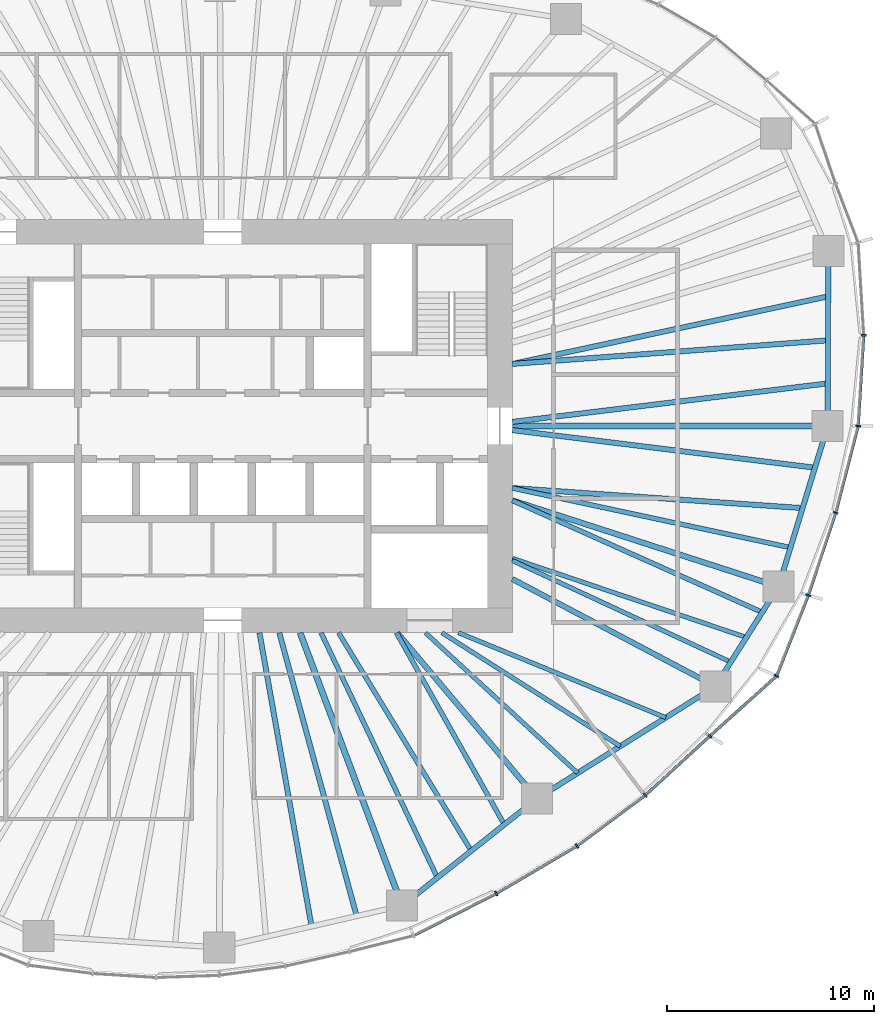
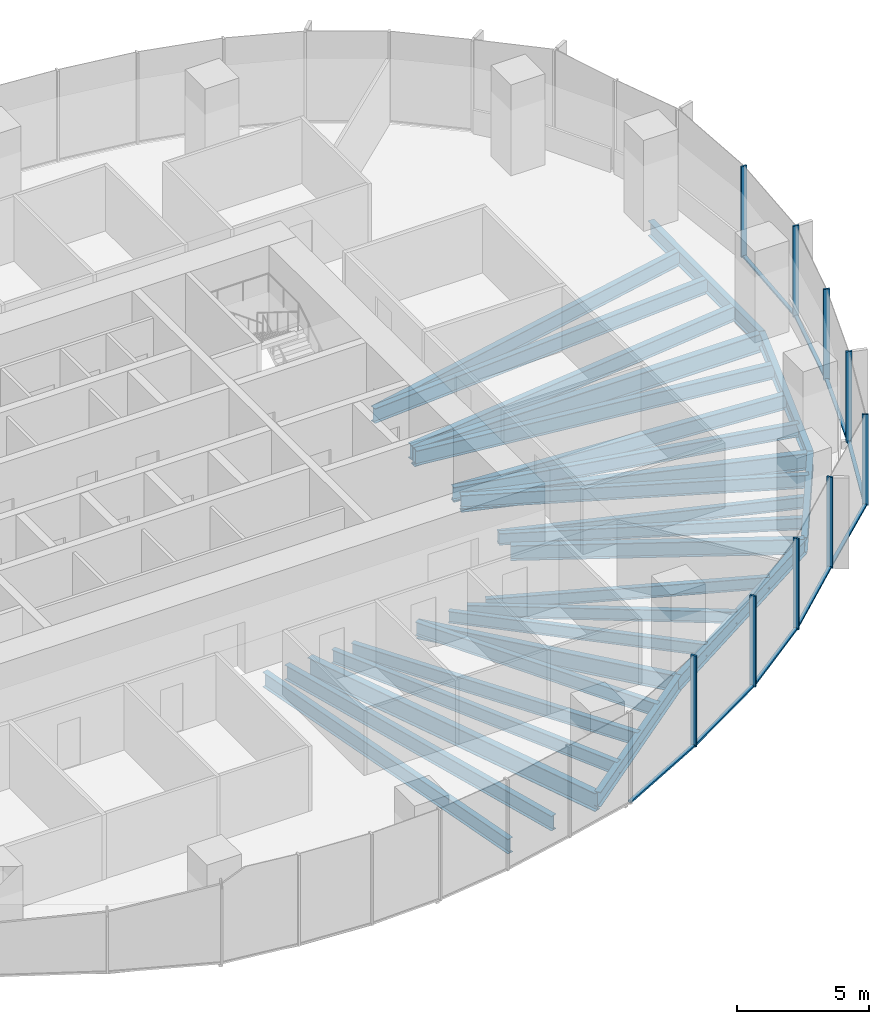
# One storey, part 4 of 18: 27 beams, 18 members, 5 elements without a shape of their own.
"""IFC4 building model written with IfcOpenShell, lengths in metres."""

import ifcopenshell
import ifcopenshell.guid

model = None  # the IFC model being written
_history = None  # IfcOwnerHistory: only IFC2X3 demands one
_inside = {}  # id of a spatial element -> (the spatial element, [elements in it])
_under = {}  # id of a project, library or spatial element -> (it, [spatial elements below it])
_declared = {}  # id of a project -> (the project, [libraries it declares])
_typed = {}  # id of a type object -> (the type object, [elements of that type])
_made_of = {}  # id of a material, layer set ... -> (it, [elements and type objects made of it])


def new_model(schema):
    """Start an empty IFC model of exactly this schema.

    Asked for "IFC4X3", IfcOpenShell would pick the latest addendum, in which some entities
    have other attributes; the version numbers below select the first issue.
    IFC2X3 requires an IfcOwnerHistory on every rooted entity: one is made here for all.
    """
    global model, _history
    if schema == "IFC4X3":
        model = ifcopenshell.file(schema_version=(4, 3, 0, 0))
    else:
        model = ifcopenshell.file(schema=schema)
    _inside.clear()
    _under.clear()
    _declared.clear()
    _typed.clear()
    _made_of.clear()
    _history = None
    if model.schema == "IFC2X3":
        org = make("IfcOrganization", Name="unknown")
        user = make(
            "IfcPersonAndOrganization",
            ThePerson=make("IfcPerson", FamilyName="unknown"),
            TheOrganization=org,
        )
        app = make(
            "IfcApplication",
            ApplicationDeveloper=org,
            Version="unknown",
            ApplicationFullName="unknown",
            ApplicationIdentifier="unknown",
        )
        _history = make(
            "IfcOwnerHistory",
            OwningUser=user,
            OwningApplication=app,
            ChangeAction="ADDED",
            CreationDate=0,
        )
    return model


def make(cls, **values):
    """One entity of the class cls with the attributes given. An attribute that is None is left unset."""
    return model.create_entity(
        cls, **{name: value for name, value in values.items() if value is not None}
    )


def rooted(cls, **values):
    """An entity with a GlobalId (a new one), such as an element, a storey or a relation."""
    return make(cls, GlobalId=ifcopenshell.guid.new(), OwnerHistory=_history, **values)


def si_unit(unit_type, name, prefix=None):
    """IfcSIUnit, for example si_unit("LENGTHUNIT", "METRE", prefix="MILLI")."""
    return make("IfcSIUnit", UnitType=unit_type, Prefix=prefix, Name=name)


def assignment(units):
    """IfcUnitAssignment: the units of a project."""
    return None if units is None else make("IfcUnitAssignment", Units=units)


def point(xyz):
    """IfcCartesianPoint."""
    return None if xyz is None else make("IfcCartesianPoint", Coordinates=xyz)


def direction(xyz):
    """IfcDirection."""
    return None if xyz is None else make("IfcDirection", DirectionRatios=xyz)


def frame(location, z_axis=None, x_axis=None):
    """IfcAxis2Placement3D, a coordinate frame: its origin and axes. An axis left out is left unset."""
    return make(
        "IfcAxis2Placement3D",
        Location=point(location),
        Axis=direction(z_axis),
        RefDirection=direction(x_axis),
    )


def frame_2d(location, x_axis=None):
    """IfcAxis2Placement2D, a coordinate frame in the plane: its origin and x axis."""
    return make(
        "IfcAxis2Placement2D", Location=point(location), RefDirection=direction(x_axis)
    )


def origin():
    """The frame at (0, 0, 0) with its axes left unset."""
    return frame((0.0, 0.0, 0.0))


def origin_2d():
    """The frame at (0, 0) in the plane with its x axis left unset."""
    return frame_2d((0.0, 0.0))


def place(relative_to, where):
    """IfcLocalPlacement: puts the frame where relative to a parent placement (None: the world)."""
    return make(
        "IfcLocalPlacement", PlacementRelTo=relative_to, RelativePlacement=where
    )


def context(
    kind, dimensions, precision=None, world=None, true_north=None, identifier=None
):
    """IfcGeometricRepresentationContext, for example the 3D "Model" context."""
    return make(
        "IfcGeometricRepresentationContext",
        ContextIdentifier=identifier,
        ContextType=kind,
        CoordinateSpaceDimension=dimensions,
        Precision=precision,
        WorldCoordinateSystem=world,
        TrueNorth=true_north,
    )


def subcontext(parent, identifier, kind, view, scale=None):
    """IfcGeometricRepresentationSubContext, for example "Body" below "Model"."""
    return make(
        "IfcGeometricRepresentationSubContext",
        ContextIdentifier=identifier,
        ContextType=kind,
        ParentContext=parent,
        TargetScale=scale,
        TargetView=view,
    )


def project(units=None, contexts=None):
    """IfcProject with its units and contexts."""
    return rooted(
        "IfcProject",
        Name="project",
        RepresentationContexts=contexts,
        UnitsInContext=assignment(units),
    )


def spatial(cls, under=None, at=None, **own):
    """A site, building, storey or space (cls), placed at a placement, below another one or the project."""
    s = rooted(cls, ObjectPlacement=at, **own)
    if under is not None:
        _under.setdefault(under.id(), (under, []))[1].append(s)
    return s


def profile(cls, at=None, kind="AREA", **sizes):
    """A parametric profile (cls). Its sizes go by their IFC names, for example OverallWidth=200.0."""
    return make(cls, ProfileType=kind, Position=at, **sizes)


def rectangle(**sizes):
    """IfcRectangleProfileDef."""
    return profile("IfcRectangleProfileDef", **sizes)


def i_section(**sizes):
    """IfcIShapeProfileDef."""
    return profile("IfcIShapeProfileDef", **sizes)


def extrude(swept, where, along, depth):
    """IfcExtrudedAreaSolid: the profile swept, set in the frame where, extruded along a direction by depth."""
    return make(
        "IfcExtrudedAreaSolid",
        SweptArea=swept,
        Position=where,
        ExtrudedDirection=direction(along),
        Depth=depth,
    )


def shape(context_of_items, identifier, shape_type, items):
    """IfcShapeRepresentation: the items that make up one representation, for example the "Body"."""
    return make(
        "IfcShapeRepresentation",
        ContextOfItems=context_of_items,
        RepresentationIdentifier=identifier,
        RepresentationType=shape_type,
        Items=items,
    )


def material(Name=None, Category=None):
    """IfcMaterial."""
    return make("IfcMaterial", Name=Name, Category=Category)


def material_profile(
    of_material, cross_section, Name=None, Category=None, Priority=None
):
    """IfcMaterialProfile: a cross section and its material."""
    return make(
        "IfcMaterialProfile",
        Name=Name,
        Material=of_material,
        Profile=cross_section,
        Priority=Priority,
        Category=Category,
    )


def profile_set(profiles, Name=None, composite=None):
    """IfcMaterialProfileSet."""
    return make(
        "IfcMaterialProfileSet",
        Name=Name,
        MaterialProfiles=profiles,
        CompositeProfile=composite,
    )


def made_of(thing, what):
    """Note that an element or type object is made of a material, layer set ...; save() writes the relation."""
    if what is not None:
        _made_of.setdefault(what.id(), (what, []))[1].append(thing)
    return thing


def type_object(cls, material=None, **own):
    """A type object (cls), such as IfcWallType, which elements share."""
    return made_of(rooted(cls, **own), material)


def element(
    cls,
    number,
    at=None,
    inside=None,
    cuts=None,
    type_object=None,
    material=None,
    context=None,
    identifier="Body",
    shape_type=None,
    held_by="IfcProductDefinitionShape",
    body=None,
    shapes=None,
    **own,
):
    """One element of the class cls, such as IfcWall. Its Tag is "e" and its number.

    at: its placement. inside: the storey or other place that contains it. cuts: it is an
    opening in that element (IfcRelVoidsElement). A single representation is given by context,
    identifier, shape_type and body (its items); several are given by shapes. held_by: the class
    of the entity that holds the representations. save() writes the other relations.
    """
    e = rooted(cls, Tag="e%d" % number, ObjectPlacement=at, **own)
    if body is not None:
        shapes = [shape(context, identifier, shape_type, body)]
    if shapes is not None:
        e.Representation = make(held_by, Representations=shapes)
    if inside is not None:
        _inside.setdefault(inside.id(), (inside, []))[1].append(e)
    if cuts is not None:
        rooted(
            "IfcRelVoidsElement", RelatingBuildingElement=cuts, RelatedOpeningElement=e
        )
    if type_object is not None:
        _typed.setdefault(type_object.id(), (type_object, []))[1].append(e)
    return made_of(e, material)


def aggregate(whole, parts):
    """IfcRelAggregates: a whole, such as a stair, and the parts it consists of."""
    return rooted("IfcRelAggregates", RelatingObject=whole, RelatedObjects=parts)


def save(model, path):
    """Write the relations noted so far, then the file.

    IfcRelAggregates (storeys below a building ...), IfcRelContainedInSpatialStructure (elements
    in a storey), IfcRelDefinesByType, IfcRelAssociatesMaterial and IfcRelDeclares: one each for
    every whole, place, type object, material and project.
    """
    for whole, parts in _under.values():
        aggregate(whole, parts)
    for where, things in _inside.values():
        rooted(
            "IfcRelContainedInSpatialStructure",
            RelatedElements=things,
            RelatingStructure=where,
        )
    for kind, things in _typed.values():
        rooted("IfcRelDefinesByType", RelatedObjects=things, RelatingType=kind)
    for what, things in _made_of.values():
        rooted("IfcRelAssociatesMaterial", RelatedObjects=things, RelatingMaterial=what)
    for by, libraries in _declared.values():
        rooted("IfcRelDeclares", RelatingContext=by, RelatedDefinitions=libraries)
    model.write(path)


model = new_model("IFC4")

# Units and contexts
model_context = context("Model", 3, precision=1e-05, world=origin(), true_north=direction((0.0, 1.0)))
body_context = subcontext(model_context, "Body", "Model", "MODEL_VIEW")
ifc_project = project(units=[si_unit("LENGTHUNIT", "METRE"), si_unit("AREAUNIT", "SQUARE_METRE"), si_unit("VOLUMEUNIT", "CUBIC_METRE"), si_unit("PLANEANGLEUNIT", "RADIAN"), si_unit("MASSUNIT", "GRAM", prefix="KILO")], contexts=[model_context])

# Site, building, storey
site_placement = place(None, origin())
site = spatial("IfcSite", under=ifc_project, at=site_placement, CompositionType="ELEMENT")
building_placement = place(site_placement, origin())
building = spatial("IfcBuilding", under=site, at=building_placement, Name="Ghaith Harvest Tower", CompositionType="ELEMENT")
storey_placement = place(building_placement, frame((0.0, 0.0, 113.39990234375)))
storey = spatial("IfcBuildingStorey", under=building, at=storey_placement, Name="L23", CompositionType="ELEMENT", Elevation=113.39990234375)

# Curtain wall, members
ifc_material_1 = material(Name="Black anodised aluminium and fritted glass", Category="aluminium")
curtain_wall_type = type_object("IfcCurtainWallType", Name="CW-L CURTAIN WALL", PredefinedType="NOTDEFINED", material=ifc_material_1)
curtain_wall_1_placement = place(storey_placement, origin())
curtain_wall_1 = element("IfcCurtainWall", 1, at=curtain_wall_1_placement, inside=storey, type_object=curtain_wall_type, Name="Curtain wall CW-L bay 01 L23", PredefinedType="NOTDEFINED")
ifc_material_2 = material(Name="Aluminium, black anodised", Category="aluminium")
ifc_material_profile_1 = material_profile(ifc_material_2, rectangle(XDim=0.080078125, YDim=0.239990234375, at=origin_2d()), Name="CW-L MULLION 80x240")
ifc_profile_set_1 = profile_set([ifc_material_profile_1], Name="Aluminium, black anodised")
member_type_1 = type_object("IfcMemberType", Name="CW-L MULLION 80x240", PredefinedType="MULLION", material=ifc_profile_set_1)
member_1_placement = place(storey_placement, frame((30.728759765625, 0.0, 0.0), z_axis=(0.0, 0.0, 1.0), x_axis=(0.155597142981, 0.987820595602, 0.0)))
member_1 = element("IfcMember", 2, at=member_1_placement, type_object=member_type_1, Name="CW-L mullion 1 bay 01 L23", PredefinedType="MULLION", context=body_context, shape_type="SweptSolid", body=[
    extrude(rectangle(XDim=0.080078125, YDim=0.239990234375, at=origin_2d()), origin(), (0.0, 0.0, 1.0), 4.2001953125),
])
member_2_placement = place(storey_placement, frame((30.998779296875, 4.389892578125, 0.0), z_axis=(0.0, 0.0, 1.0), x_axis=(-0.000162467394, 0.999999986802, 0.0)))
member_2 = element("IfcMember", 3, at=member_2_placement, type_object=member_type_1, Name="CW-L mullion 2 bay 01 L23", PredefinedType="MULLION", context=body_context, shape_type="SweptSolid", body=[
    extrude(rectangle(XDim=0.080078125, YDim=0.239990234375, at=origin_2d()), origin(), (0.0, 0.0, 1.0), 4.2001953125),
])

# Curtain wall, member
curtain_wall_2_placement = place(storey_placement, origin())
curtain_wall_2 = element("IfcCurtainWall", 4, at=curtain_wall_2_placement, inside=storey, type_object=curtain_wall_type, Name="Curtain wall CW-L bay 17 L23", PredefinedType="NOTDEFINED")
member_3_placement = place(storey_placement, frame((13.224365234375, -22.614013671875, 0.0), z_axis=(0.0, 0.0, 1.0), x_axis=(0.876898762173, 0.480675109507, 0.0)))
member_3 = element("IfcMember", 5, at=member_3_placement, type_object=member_type_1, Name="CW-L mullion 2 bay 17 L23", PredefinedType="MULLION", context=body_context, shape_type="SweptSolid", body=[
    extrude(rectangle(XDim=0.080078125, YDim=0.239990234375, at=origin_2d()), origin(), (0.0, 0.0, 1.0), 4.2001953125),
])

# Curtain wall, members
curtain_wall_3_placement = place(storey_placement, origin())
curtain_wall_3 = element("IfcCurtainWall", 6, at=curtain_wall_3_placement, inside=storey, type_object=curtain_wall_type, Name="Curtain wall CW-L bay 18 L23", PredefinedType="NOTDEFINED")
member_4_placement = place(storey_placement, frame((17.1318359375, -20.31591796875, 0.0), z_axis=(0.0, 0.0, 1.0), x_axis=(0.834887453241, 0.550420694035, 0.0)))
member_4 = element("IfcMember", 7, at=member_4_placement, type_object=member_type_1, Name="CW-L mullion 1 bay 18 L23", PredefinedType="MULLION", context=body_context, shape_type="SweptSolid", body=[
    extrude(rectangle(XDim=0.080078125, YDim=0.239990234375, at=origin_2d()), origin(), (0.0, 0.0, 1.0), 4.2001953125),
])
member_5_placement = place(storey_placement, frame((20.4296875, -17.86376953125, 0.0), z_axis=(0.0, 0.0, 1.0), x_axis=(0.770306399656, 0.637673937564, 0.0)))
member_5 = element("IfcMember", 8, at=member_5_placement, type_object=member_type_1, Name="CW-L mullion 2 bay 18 L23", PredefinedType="MULLION", context=body_context, shape_type="SweptSolid", body=[
    extrude(rectangle(XDim=0.080078125, YDim=0.239990234375, at=origin_2d()), origin(), (0.0, 0.0, 1.0), 4.2001953125),
])

curtain_wall_4_placement = place(storey_placement, origin())
curtain_wall_4 = element("IfcCurtainWall", 9, at=curtain_wall_4_placement, inside=storey, type_object=curtain_wall_type, Name="Curtain wall CW-L bay 19 L23", PredefinedType="NOTDEFINED")
member_6_placement = place(storey_placement, frame((23.560546875, -14.994140625, 0.0), z_axis=(0.0, 0.0, 1.0), x_axis=(0.740389054945, 0.672178582906, 0.0)))
member_6 = element("IfcMember", 10, at=member_6_placement, type_object=member_type_1, Name="CW-L mullion 1 bay 19 L23", PredefinedType="MULLION", context=body_context, shape_type="SweptSolid", body=[
    extrude(rectangle(XDim=0.080078125, YDim=0.239990234375, at=origin_2d()), origin(), (0.0, 0.0, 1.0), 4.2001953125),
])
member_7_placement = place(storey_placement, frame((26.786376953125, -12.0927734375, 0.0), z_axis=(0.0, 0.0, 1.0), x_axis=(0.572853476908, 0.819657790785, 0.0)))
member_7 = element("IfcMember", 11, at=member_7_placement, type_object=member_type_1, Name="CW-L mullion 2 bay 19 L23", PredefinedType="MULLION", context=body_context, shape_type="SweptSolid", body=[
    extrude(rectangle(XDim=0.080078125, YDim=0.239990234375, at=origin_2d()), origin(), (0.0, 0.0, 1.0), 4.2001953125),
])

curtain_wall_5_placement = place(storey_placement, origin())
curtain_wall_5 = element("IfcCurtainWall", 12, at=curtain_wall_5_placement, inside=storey, type_object=curtain_wall_type, Name="Curtain wall CW-L bay 20 L23", PredefinedType="NOTDEFINED")
member_8_placement = place(storey_placement, frame((28.319580078125, -8.184814453125, 0.0), z_axis=(0.0, 0.0, 1.0), x_axis=(0.34057402484, 0.94021770543, 0.0)))
member_8 = element("IfcMember", 13, at=member_8_placement, type_object=member_type_1, Name="CW-L mullion 1 bay 20 L23", PredefinedType="MULLION", context=body_context, shape_type="SweptSolid", body=[
    extrude(rectangle(XDim=0.080078125, YDim=0.239990234375, at=origin_2d()), origin(), (0.0, 0.0, 1.0), 4.2001953125),
])
member_9_placement = place(storey_placement, frame((29.64599609375, -4.1982421875, 0.0), z_axis=(0.0, 0.0, 1.0), x_axis=(0.282375140161, 0.959304060358, 0.0)))
member_9 = element("IfcMember", 14, at=member_9_placement, type_object=member_type_1, Name="CW-L mullion 2 bay 20 L23", PredefinedType="MULLION", context=body_context, shape_type="SweptSolid", body=[
    extrude(rectangle(XDim=0.080078125, YDim=0.239990234375, at=origin_2d()), origin(), (0.0, 0.0, 1.0), 4.2001953125),
])

# Member
ifc_material_3 = material(Name="Aluminium, black anodised", Category="aluminium")
ifc_material_profile_2 = material_profile(ifc_material_3, rectangle(XDim=0.14990234375, YDim=0.080078125, at=origin_2d()), Name="CW-L TRANSOM 150x80")
ifc_profile_set_2 = profile_set([ifc_material_profile_2], Name="Aluminium, black anodised")
member_type_2 = type_object("IfcMemberType", Name="CW-L TRANSOM 150x80", PredefinedType="USERDEFINED", material=ifc_profile_set_2)
member_10_placement = place(storey_placement, frame((30.731201171875, 0.0400390625, 0.0400390625), z_axis=(0.061403204251, 0.99811304295, 0.0), x_axis=(-0.99811304295, 0.061403204251, 0.0)))
member_10 = element("IfcMember", 15, at=member_10_placement, type_object=member_type_2, Name="CW-L transom 1 bay 01 L23", ObjectType="TRANSOM", PredefinedType="USERDEFINED", context=body_context, shape_type="SweptSolid", body=[
    extrude(rectangle(XDim=0.14990234375, YDim=0.080078125, at=origin_2d()), origin(), (0.0, 0.0, 1.0), 4.31787109375),
])

aggregate(curtain_wall_1, [member_1, member_10, member_2])

member_11_placement = place(storey_placement, frame((9.25244140625, -24.636474609375, 0.0400390625), z_axis=(0.891120044719, 0.453767634258, 0.0), x_axis=(-0.453767634258, 0.891120044719, 0.0)))
member_11 = element("IfcMember", 16, at=member_11_placement, type_object=member_type_2, Name="CW-L transom 1 bay 17 L23", ObjectType="TRANSOM", PredefinedType="USERDEFINED", context=body_context, shape_type="SweptSolid", body=[
    extrude(rectangle(XDim=0.14990234375, YDim=0.080078125, at=origin_2d()), origin(), (0.0, 0.0, 1.0), 4.417236328125),
])

member_12_placement = place(storey_placement, frame((13.259033203125, -22.59375, 0.0400390625), z_axis=(0.86196381091, 0.506969810424, 0.0), x_axis=(-0.506969810424, 0.86196381091, 0.0)))
member_12 = element("IfcMember", 17, at=member_12_placement, type_object=member_type_2, Name="CW-L transom 2 bay 17 L23", ObjectType="TRANSOM", PredefinedType="USERDEFINED", context=body_context, shape_type="SweptSolid", body=[
    extrude(rectangle(XDim=0.14990234375, YDim=0.080078125, at=origin_2d()), origin(), (0.0, 0.0, 1.0), 4.453125),
])

aggregate(curtain_wall_2, [member_11, member_3, member_12])

member_13_placement = place(storey_placement, frame((17.1640625, -20.2919921875, 0.0400390625), z_axis=(0.802465316609, 0.59669876457, 0.0), x_axis=(-0.59669876457, 0.802465316609, 0.0)))
member_13 = element("IfcMember", 18, at=member_13_placement, type_object=member_type_2, Name="CW-L transom 1 bay 18 L23", ObjectType="TRANSOM", PredefinedType="USERDEFINED", context=body_context, shape_type="SweptSolid", body=[
    extrude(rectangle(XDim=0.14990234375, YDim=0.080078125, at=origin_2d()), origin(), (0.0, 0.0, 1.0), 4.029296875),
])

member_14_placement = place(storey_placement, frame((20.459228515625, -17.836669921875, 0.0400390625), z_axis=(0.737197916434, 0.675676869521, 0.0), x_axis=(-0.675676869521, 0.737197916434, 0.0)))
member_14 = element("IfcMember", 19, at=member_14_placement, type_object=member_type_2, Name="CW-L transom 2 bay 18 L23", ObjectType="TRANSOM", PredefinedType="USERDEFINED", context=body_context, shape_type="SweptSolid", body=[
    extrude(rectangle(XDim=0.14990234375, YDim=0.080078125, at=origin_2d()), origin(), (0.0, 0.0, 1.0), 4.166748046875),
])

aggregate(curtain_wall_3, [member_4, member_13, member_5, member_14])

member_15_placement = place(storey_placement, frame((23.59033203125, -14.967529296875, 0.0400390625), z_axis=(0.74346800111, 0.668771509056, 0.0), x_axis=(-0.668771509056, 0.74346800111, 0.0)))
member_15 = element("IfcMember", 20, at=member_15_placement, type_object=member_type_2, Name="CW-L transom 1 bay 19 L23", ObjectType="TRANSOM", PredefinedType="USERDEFINED", context=body_context, shape_type="SweptSolid", body=[
    extrude(rectangle(XDim=0.14990234375, YDim=0.080078125, at=origin_2d()), origin(), (0.0, 0.0, 1.0), 4.2587890625),
])

member_16_placement = place(storey_placement, frame((26.801025390625, -12.055419921875, 0.0400390625), z_axis=(0.365228588652, 0.930917868575, 0.0), x_axis=(-0.930917868575, 0.365228588652, 0.0)))
member_16 = element("IfcMember", 21, at=member_16_placement, type_object=member_type_2, Name="CW-L transom 2 bay 19 L23", ObjectType="TRANSOM", PredefinedType="USERDEFINED", context=body_context, shape_type="SweptSolid", body=[
    extrude(rectangle(XDim=0.14990234375, YDim=0.080078125, at=origin_2d()), origin(), (0.0, 0.0, 1.0), 4.11767578125),
])

aggregate(curtain_wall_4, [member_6, member_15, member_7, member_16])

member_17_placement = place(storey_placement, frame((28.33203125, -8.14697265625, 0.0400390625), z_axis=(0.315712391444, 0.948854934059, 0.0), x_axis=(-0.948854934059, 0.315712391444, 0.0)))
member_17 = element("IfcMember", 22, at=member_17_placement, type_object=member_type_2, Name="CW-L transom 1 bay 20 L23", ObjectType="TRANSOM", PredefinedType="USERDEFINED", context=body_context, shape_type="SweptSolid", body=[
    extrude(rectangle(XDim=0.14990234375, YDim=0.080078125, at=origin_2d()), origin(), (0.0, 0.0, 1.0), 4.12158203125),
])

member_18_placement = place(storey_placement, frame((29.656005859375, -4.159423828125, 0.0400390625), z_axis=(0.249737470584, 0.968313583395, 0.0), x_axis=(-0.968313583395, 0.249737470584, 0.0)))
member_18 = element("IfcMember", 23, at=member_18_placement, type_object=member_type_2, Name="CW-L transom 2 bay 20 L23", ObjectType="TRANSOM", PredefinedType="USERDEFINED", context=body_context, shape_type="SweptSolid", body=[
    extrude(rectangle(XDim=0.14990234375, YDim=0.080078125, at=origin_2d()), origin(), (0.0, 0.0, 1.0), 4.25537109375),
])

aggregate(curtain_wall_5, [member_8, member_17, member_9, member_18])

# Beams
ifc_material_4 = material(Name="Steel ASTM A992 Grade 50", Category="steel")
ifc_material_profile_3 = material_profile(ifc_material_4, i_section(OverallWidth=0.25390625, OverallDepth=0.68408203125, WebThickness=0.012451171875, FlangeThickness=0.018798828125, at=origin_2d()), Name="W690X140")
ifc_profile_set_3 = profile_set([ifc_material_profile_3], Name="Steel ASTM A992 Grade 50")
beam_type_1 = type_object("IfcBeamType", Name="E690-140 W690X140", PredefinedType="SPANDREL", material=ifc_profile_set_3)
beam_1_placement = place(storey_placement, frame((29.259033203125, 0.0, -0.511962890625), z_axis=(0.003172847394, 0.999994966507, 0.0), x_axis=(-0.999994966507, 0.003172847394, 0.0)))
element("IfcBeam", 24, at=beam_1_placement, inside=storey, type_object=beam_type_1, Name="Edge beam E01 L23", PredefinedType="SPANDREL", context=body_context, shape_type="SweptSolid", body=[
    extrude(i_section(OverallWidth=0.25390625, OverallDepth=0.68408203125, WebThickness=0.012451171875, FlangeThickness=0.018798828125, at=origin_2d()), origin(), (0.0, 0.0, 1.0), 8.464111328125),
])
beam_2_placement = place(storey_placement, frame((8.674072265625, -23.202880859375, -0.511962890625), z_axis=(0.783159540917, 0.621820821033, 0.0), x_axis=(-0.621820821033, 0.783159540917, 0.0)))
element("IfcBeam", 25, at=beam_2_placement, inside=storey, type_object=beam_type_1, Name="Edge beam E17 L23", PredefinedType="SPANDREL", context=body_context, shape_type="SweptSolid", body=[
    extrude(i_section(OverallWidth=0.25390625, OverallDepth=0.68408203125, WebThickness=0.012451171875, FlangeThickness=0.018798828125, at=origin_2d()), origin(), (0.0, 0.0, 1.0), 8.330322265625),
])
beam_3_placement = place(storey_placement, frame((15.197998046875, -18.02294921875, -0.511962890625), z_axis=(0.846385185363, 0.532571232793, 0.0), x_axis=(-0.532571232793, 0.846385185363, 0.0)))
element("IfcBeam", 26, at=beam_3_placement, inside=storey, type_object=beam_type_1, Name="Edge beam E18 L23", PredefinedType="SPANDREL", context=body_context, shape_type="SweptSolid", body=[
    extrude(i_section(OverallWidth=0.25390625, OverallDepth=0.68408203125, WebThickness=0.012451171875, FlangeThickness=0.018798828125, at=origin_2d()), origin(), (0.0, 0.0, 1.0), 10.19384765625),
])
beam_4_placement = place(storey_placement, frame((23.825927734375, -12.593994140625, -0.511962890625), z_axis=(0.534499624093, 0.845168712059, 0.0), x_axis=(-0.845168712059, 0.534499624093, 0.0)))
element("IfcBeam", 27, at=beam_4_placement, inside=storey, type_object=beam_type_1, Name="Edge beam E19 L23", PredefinedType="SPANDREL", context=body_context, shape_type="SweptSolid", body=[
    extrude(i_section(OverallWidth=0.25390625, OverallDepth=0.68408203125, WebThickness=0.012451171875, FlangeThickness=0.018798828125, at=origin_2d()), origin(), (0.0, 0.0, 1.0), 5.7099609375),
])
beam_5_placement = place(storey_placement, frame((26.8779296875, -7.76806640625, -0.511962890625), z_axis=(0.293065809375, 0.956092271371, 0.0), x_axis=(-0.956092271371, 0.293065809375, 0.0)))
element("IfcBeam", 28, at=beam_5_placement, inside=storey, type_object=beam_type_1, Name="Edge beam E20 L23", PredefinedType="SPANDREL", context=body_context, shape_type="SweptSolid", body=[
    extrude(i_section(OverallWidth=0.25390625, OverallDepth=0.68408203125, WebThickness=0.012451171875, FlangeThickness=0.018798828125, at=origin_2d()), origin(), (0.0, 0.0, 1.0), 8.124755859375),
])
ifc_material_5 = material(Name="Steel ASTM A992 Grade 50", Category="steel")
ifc_material_profile_4 = material_profile(ifc_material_5, i_section(OverallWidth=0.256103515625, OverallDepth=0.693115234375, WebThickness=0.014404296875, FlangeThickness=0.023681640625, at=origin_2d()), Name="W690X170")
ifc_profile_set_4 = profile_set([ifc_material_profile_4], Name="Steel ASTM A992 Grade 50")
beam_type_2 = type_object("IfcBeamType", Name="G690-170 W690X170", PredefinedType="BEAM", material=ifc_profile_set_4)
beam_6_placement = place(storey_placement, frame((14.0, -7.39990234375, -0.516357421875), z_axis=(0.884080549082, -0.467334551189, 0.0), x_axis=(0.467334551189, 0.884080549082, 0.0)))
element("IfcBeam", 29, at=beam_6_placement, inside=storey, type_object=beam_type_2, Name="Radial girder G19 L23", PredefinedType="BEAM", context=body_context, shape_type="SweptSolid", body=[
    extrude(i_section(OverallWidth=0.256103515625, OverallDepth=0.693115234375, WebThickness=0.014404296875, FlangeThickness=0.023681640625, at=origin_2d()), origin(), (0.0, 0.0, 1.0), 11.1142578125),
])
ifc_material_6 = material(Name="Steel ASTM A992 Grade 50", Category="steel")
ifc_material_profile_5 = material_profile(ifc_material_6, i_section(OverallWidth=0.26806640625, OverallDepth=0.77001953125, WebThickness=0.015625, FlangeThickness=0.025390625, at=origin_2d()), Name="W760X196")
ifc_profile_set_5 = profile_set([ifc_material_profile_5], Name="Steel ASTM A992 Grade 50")
beam_type_3 = type_object("IfcBeamType", Name="G760-196 W760X196", PredefinedType="BEAM", material=ifc_profile_set_5)
beam_7_placement = place(storey_placement, frame((8.4326171875, -10.0, -0.554931640625), z_axis=(0.644649240595, -0.764478486682, 0.0), x_axis=(0.764478486682, 0.644649240595, 0.0)))
element("IfcBeam", 30, at=beam_7_placement, inside=storey, type_object=beam_type_3, Name="Radial girder G18 L23", PredefinedType="BEAM", context=body_context, shape_type="SweptSolid", body=[
    extrude(i_section(OverallWidth=0.26806640625, OverallDepth=0.77001953125, WebThickness=0.015625, FlangeThickness=0.025390625, at=origin_2d()), origin(), (0.0, 0.0, 1.0), 10.49462890625),
])
beam_8_placement = place(storey_placement, frame((14.0, -3.60009765625, -0.554931640625), z_axis=(0.951410331565, -0.307925934262, 0.0), x_axis=(0.307925934262, 0.951410331565, 0.0)))
element("IfcBeam", 31, at=beam_8_placement, inside=storey, type_object=beam_type_3, Name="Radial girder G20 L23", PredefinedType="BEAM", context=body_context, shape_type="SweptSolid", body=[
    extrude(i_section(OverallWidth=0.26806640625, OverallDepth=0.77001953125, WebThickness=0.015625, FlangeThickness=0.025390625, at=origin_2d()), origin(), (0.0, 0.0, 1.0), 13.53564453125),
])
ifc_material_7 = material(Name="Steel ASTM A992 Grade 50", Category="steel")
ifc_material_profile_6 = material_profile(ifc_material_7, i_section(OverallWidth=0.2939453125, OverallDepth=0.85107421875, WebThickness=0.01611328125, FlangeThickness=0.02685546875, at=origin_2d()), Name="W840X226")
ifc_profile_set_6 = profile_set([ifc_material_profile_6], Name="Steel ASTM A992 Grade 50")
beam_type_4 = type_object("IfcBeamType", Name="G840-226 W840X226", PredefinedType="BEAM", material=ifc_profile_set_6)
beam_9_placement = place(storey_placement, frame((14.0, 0.0, -0.595458984375), z_axis=(1.0, 0.0, 0.0), x_axis=(0.0, 1.0, 0.0)))
element("IfcBeam", 32, at=beam_9_placement, inside=storey, type_object=beam_type_4, Name="Radial girder G01 L23", PredefinedType="BEAM", context=body_context, shape_type="SweptSolid", body=[
    extrude(i_section(OverallWidth=0.2939453125, OverallDepth=0.85107421875, WebThickness=0.01611328125, FlangeThickness=0.02685546875, at=origin_2d()), origin(), (0.0, 0.0, 1.0), 15.259033203125),
])
beam_10_placement = place(storey_placement, frame((3.73828125, -10.0, -0.595458984375), z_axis=(0.350172283717, -0.936685310932, 0.0), x_axis=(0.936685310932, 0.350172283717, 0.0)))
element("IfcBeam", 33, at=beam_10_placement, inside=storey, type_object=beam_type_4, Name="Radial girder G17 L23", PredefinedType="BEAM", context=body_context, shape_type="SweptSolid", body=[
    extrude(i_section(OverallWidth=0.2939453125, OverallDepth=0.85107421875, WebThickness=0.01611328125, FlangeThickness=0.02685546875, at=origin_2d()), origin(), (0.0, 0.0, 1.0), 14.09521484375),
])
ifc_material_8 = material(Name="Steel ASTM A992 Grade 50", Category="steel")
ifc_material_profile_7 = material_profile(ifc_material_8, i_section(OverallWidth=0.2109375, OverallDepth=0.5390625, WebThickness=0.01171875, FlangeThickness=0.018798828125, at=origin_2d()), Name="W530X109")
ifc_profile_set_7 = profile_set([ifc_material_profile_7], Name="Steel ASTM A992 Grade 50")
beam_type_5 = type_object("IfcBeamType", Name="J530-109 W530X109", PredefinedType="JOIST", material=ifc_profile_set_7)
beam_11_placement = place(storey_placement, frame((9.800048828125, -10.0, -0.439453125), z_axis=(0.735441512033, -0.677588210035, 0.0), x_axis=(0.677588210035, 0.735441512033, 0.0)))
element("IfcBeam", 34, at=beam_11_placement, inside=storey, type_object=beam_type_5, Name="Joist J18.1 L23", PredefinedType="JOIST", context=body_context, shape_type="SweptSolid", body=[
    extrude(i_section(OverallWidth=0.2109375, OverallDepth=0.5390625, WebThickness=0.01171875, FlangeThickness=0.018798828125, at=origin_2d()), origin(), (0.0, 0.0, 1.0), 10.01416015625),
])
beam_12_placement = place(storey_placement, frame((10.60009765625, -10.0, -0.439453125), z_axis=(0.843584777848, -0.536996017288, 0.0), x_axis=(0.536996017288, 0.843584777848, 0.0)))
element("IfcBeam", 35, at=beam_12_placement, inside=storey, type_object=beam_type_5, Name="Joist J18.2 L23", PredefinedType="JOIST", context=body_context, shape_type="SweptSolid", body=[
    extrude(i_section(OverallWidth=0.2109375, OverallDepth=0.5390625, WebThickness=0.01171875, FlangeThickness=0.018798828125, at=origin_2d()), origin(), (0.0, 0.0, 1.0), 10.22314453125),
])
beam_13_placement = place(storey_placement, frame((11.39990234375, -10.0, -0.439453125), z_axis=(0.925406878607, -0.378975077053, 0.0), x_axis=(0.378975077053, 0.925406878607, 0.0)))
element("IfcBeam", 36, at=beam_13_placement, inside=storey, type_object=beam_type_5, Name="Joist J18.3 L23", PredefinedType="JOIST", context=body_context, shape_type="SweptSolid", body=[
    extrude(i_section(OverallWidth=0.2109375, OverallDepth=0.5390625, WebThickness=0.01171875, FlangeThickness=0.018798828125, at=origin_2d()), origin(), (0.0, 0.0, 1.0), 10.83251953125),
])
beam_14_placement = place(storey_placement, frame((14.0, -6.506103515625, -0.439453125), z_axis=(0.906863188232, -0.421425150922, 0.0), x_axis=(0.421425150922, 0.906863188232, 0.0)))
element("IfcBeam", 37, at=beam_14_placement, inside=storey, type_object=beam_type_5, Name="Joist J19.1 L23", PredefinedType="JOIST", context=body_context, shape_type="SweptSolid", body=[
    extrude(i_section(OverallWidth=0.2109375, OverallDepth=0.5390625, WebThickness=0.01171875, FlangeThickness=0.018798828125, at=origin_2d()), origin(), (0.0, 0.0, 1.0), 11.6552734375),
])
beam_15_placement = place(storey_placement, frame((14.0, -6.39990234375, -0.439453125), z_axis=(0.947372072272, -0.320134591508, 0.0), x_axis=(0.320134591508, 0.947372072272, 0.0)))
element("IfcBeam", 38, at=beam_15_placement, inside=storey, type_object=beam_type_5, Name="Joist J19.2 L23", PredefinedType="JOIST", context=body_context, shape_type="SweptSolid", body=[
    extrude(i_section(OverallWidth=0.2109375, OverallDepth=0.5390625, WebThickness=0.01171875, FlangeThickness=0.018798828125, at=origin_2d()), origin(), (0.0, 0.0, 1.0), 11.95263671875),
])
ifc_material_9 = material(Name="Steel ASTM A992 Grade 50", Category="steel")
ifc_material_profile_8 = material_profile(ifc_material_9, i_section(OverallWidth=0.22900390625, OverallDepth=0.612060546875, WebThickness=0.011962890625, FlangeThickness=0.01953125, at=origin_2d()), Name="W610X125")
ifc_profile_set_8 = profile_set([ifc_material_profile_8], Name="Steel ASTM A992 Grade 50")
beam_type_6 = type_object("IfcBeamType", Name="J610-125 W610X125", PredefinedType="JOIST", material=ifc_profile_set_8)
beam_16_placement = place(storey_placement, frame((4.75, -10.0, -0.475830078125), z_axis=(0.429062888327, -0.903274619294, 0.0), x_axis=(0.903274619294, 0.429062888327, 0.0)))
element("IfcBeam", 39, at=beam_16_placement, inside=storey, type_object=beam_type_6, Name="Joist J17.1 L23", PredefinedType="JOIST", context=body_context, shape_type="SweptSolid", body=[
    extrude(i_section(OverallWidth=0.22900390625, OverallDepth=0.612060546875, WebThickness=0.011962890625, FlangeThickness=0.01953125, at=origin_2d()), origin(), (0.0, 0.0, 1.0), 13.118408203125),
])
beam_17_placement = place(storey_placement, frame((5.60009765625, -10.0, -0.475830078125), z_axis=(0.51969412955, -0.854352393167, 0.0), x_axis=(0.854352393167, 0.51969412955, 0.0)))
element("IfcBeam", 40, at=beam_17_placement, inside=storey, type_object=beam_type_6, Name="Joist J17.2 L23", PredefinedType="JOIST", context=body_context, shape_type="SweptSolid", body=[
    extrude(i_section(OverallWidth=0.22900390625, OverallDepth=0.612060546875, WebThickness=0.011962890625, FlangeThickness=0.01953125, at=origin_2d()), origin(), (0.0, 0.0, 1.0), 12.34716796875),
])
beam_18_placement = place(storey_placement, frame((8.39990234375, -10.0, -0.475830078125), z_axis=(0.489936713337, -0.871758003648, 0.0), x_axis=(0.871758003648, 0.489936713337, 0.0)))
element("IfcBeam", 41, at=beam_18_placement, inside=storey, type_object=beam_type_6, Name="Joist J17.3 L23", PredefinedType="JOIST", context=body_context, shape_type="SweptSolid", body=[
    extrude(i_section(OverallWidth=0.22900390625, OverallDepth=0.612060546875, WebThickness=0.011962890625, FlangeThickness=0.01953125, at=origin_2d()), origin(), (0.0, 0.0, 1.0), 10.64501953125),
])
beam_19_placement = place(storey_placement, frame((14.0, -3.60009765625, -0.475830078125), z_axis=(0.912738327266, -0.408544668231, 0.0), x_axis=(0.408544668231, 0.912738327266, 0.0)))
element("IfcBeam", 42, at=beam_19_placement, inside=storey, type_object=beam_type_6, Name="Joist J19.3 L23", PredefinedType="JOIST", context=body_context, shape_type="SweptSolid", body=[
    extrude(i_section(OverallWidth=0.22900390625, OverallDepth=0.612060546875, WebThickness=0.011962890625, FlangeThickness=0.01953125, at=origin_2d()), origin(), (0.0, 0.0, 1.0), 13.247314453125),
])
beam_20_placement = place(storey_placement, frame((14.0, -3.0, -0.475830078125), z_axis=(0.97783433664, -0.209380061343, 0.0), x_axis=(0.209380061343, 0.97783433664, 0.0)))
element("IfcBeam", 43, at=beam_20_placement, inside=storey, type_object=beam_type_6, Name="Joist J20.1 L23", PredefinedType="JOIST", context=body_context, shape_type="SweptSolid", body=[
    extrude(i_section(OverallWidth=0.22900390625, OverallDepth=0.612060546875, WebThickness=0.011962890625, FlangeThickness=0.01953125, at=origin_2d()), origin(), (0.0, 0.0, 1.0), 13.76123046875),
])
ifc_material_10 = material(Name="Steel ASTM A992 Grade 50", Category="steel")
ifc_material_profile_9 = material_profile(ifc_material_10, i_section(OverallWidth=0.25390625, OverallDepth=0.68408203125, WebThickness=0.012451171875, FlangeThickness=0.018798828125, at=origin_2d()), Name="W690X140")
ifc_profile_set_9 = profile_set([ifc_material_profile_9], Name="Steel ASTM A992 Grade 50")
beam_type_7 = type_object("IfcBeamType", Name="J690-140 W690X140", PredefinedType="JOIST", material=ifc_profile_set_9)
beam_21_placement = place(storey_placement, frame((14.0, 0.199951171875, -0.511962890625), z_axis=(0.992642759881, 0.121079937462, 0.0), x_axis=(-0.121079937462, 0.992642759881, 0.0)))
element("IfcBeam", 44, at=beam_21_placement, inside=storey, type_object=beam_type_7, Name="Joist J01.1 L23", PredefinedType="JOIST", context=body_context, shape_type="SweptSolid", body=[
    extrude(i_section(OverallWidth=0.25390625, OverallDepth=0.68408203125, WebThickness=0.012451171875, FlangeThickness=0.018798828125, at=origin_2d()), origin(), (0.0, 0.0, 1.0), 15.378662109375),
])
beam_22_placement = place(storey_placement, frame((14.0, 3.0, -0.511962890625), z_axis=(0.997200052902, 0.074780040735, 0.0), x_axis=(-0.074780040735, 0.997200052902, 0.0)))
element("IfcBeam", 45, at=beam_22_placement, inside=storey, type_object=beam_type_7, Name="Joist J01.2 L23", PredefinedType="JOIST", context=body_context, shape_type="SweptSolid", body=[
    extrude(i_section(OverallWidth=0.25390625, OverallDepth=0.68408203125, WebThickness=0.012451171875, FlangeThickness=0.018798828125, at=origin_2d()), origin(), (0.0, 0.0, 1.0), 15.315185546875),
])
beam_23_placement = place(storey_placement, frame((14.0, 3.0, -0.511962890625), z_axis=(0.977833271545, 0.209385035425, 0.0), x_axis=(-0.209385035425, 0.977833271545, 0.0)))
element("IfcBeam", 46, at=beam_23_placement, inside=storey, type_object=beam_type_7, Name="Joist J01.3 L23", PredefinedType="JOIST", context=body_context, shape_type="SweptSolid", body=[
    extrude(i_section(OverallWidth=0.25390625, OverallDepth=0.68408203125, WebThickness=0.012451171875, FlangeThickness=0.018798828125, at=origin_2d()), origin(), (0.0, 0.0, 1.0), 15.62548828125),
])
beam_24_placement = place(storey_placement, frame((1.772705078125, -10.0, -0.511962890625), z_axis=(0.174552818486, -0.98464781194, 0.0), x_axis=(0.98464781194, 0.174552818486, 0.0)))
element("IfcBeam", 47, at=beam_24_placement, inside=storey, type_object=beam_type_7, Name="Joist J16.2 L23", PredefinedType="JOIST", context=body_context, shape_type="SweptSolid", body=[
    extrude(i_section(OverallWidth=0.25390625, OverallDepth=0.68408203125, WebThickness=0.012451171875, FlangeThickness=0.018798828125, at=origin_2d()), origin(), (0.0, 0.0, 1.0), 14.42578125),
])
beam_25_placement = place(storey_placement, frame((2.73095703125, -10.0, -0.511962890625), z_axis=(0.263463446032, -0.964669379946, 0.0), x_axis=(0.964669379946, 0.263463446032, 0.0)))
element("IfcBeam", 48, at=beam_25_placement, inside=storey, type_object=beam_type_7, Name="Joist J16.3 L23", PredefinedType="JOIST", context=body_context, shape_type="SweptSolid", body=[
    extrude(i_section(OverallWidth=0.25390625, OverallDepth=0.68408203125, WebThickness=0.012451171875, FlangeThickness=0.018798828125, at=origin_2d()), origin(), (0.0, 0.0, 1.0), 14.20751953125),
])
beam_26_placement = place(storey_placement, frame((14.0, -3.0, -0.511962890625), z_axis=(0.997616678907, -0.068999724397, 0.0), x_axis=(0.068999724397, 0.997616678907, 0.0)))
element("IfcBeam", 49, at=beam_26_placement, inside=storey, type_object=beam_type_7, Name="Joist J20.2 L23", PredefinedType="JOIST", context=body_context, shape_type="SweptSolid", body=[
    extrude(i_section(OverallWidth=0.25390625, OverallDepth=0.68408203125, WebThickness=0.012451171875, FlangeThickness=0.018798828125, at=origin_2d()), origin(), (0.0, 0.0, 1.0), 14.0751953125),
])
beam_27_placement = place(storey_placement, frame((14.0, -0.199951171875, -0.511962890625), z_axis=(0.992379127816, -0.123222021874, 0.0), x_axis=(0.123222021874, 0.992379127816, 0.0)))
element("IfcBeam", 50, at=beam_27_placement, inside=storey, type_object=beam_type_7, Name="Joist J20.3 L23", PredefinedType="JOIST", context=body_context, shape_type="SweptSolid", body=[
    extrude(i_section(OverallWidth=0.25390625, OverallDepth=0.68408203125, WebThickness=0.012451171875, FlangeThickness=0.018798828125, at=origin_2d()), origin(), (0.0, 0.0, 1.0), 14.7529296875),
])

save(model, "model.ifc")
